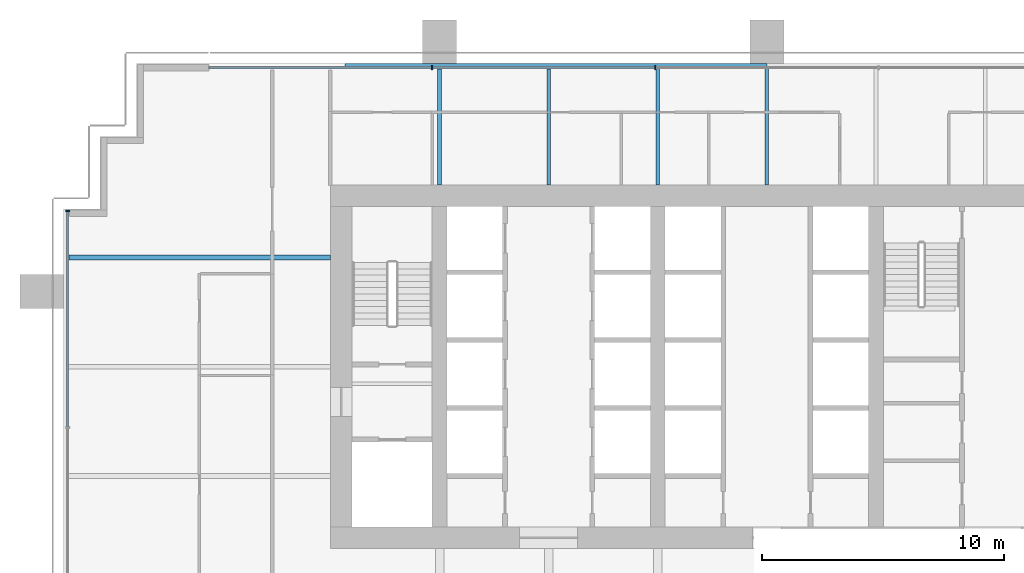
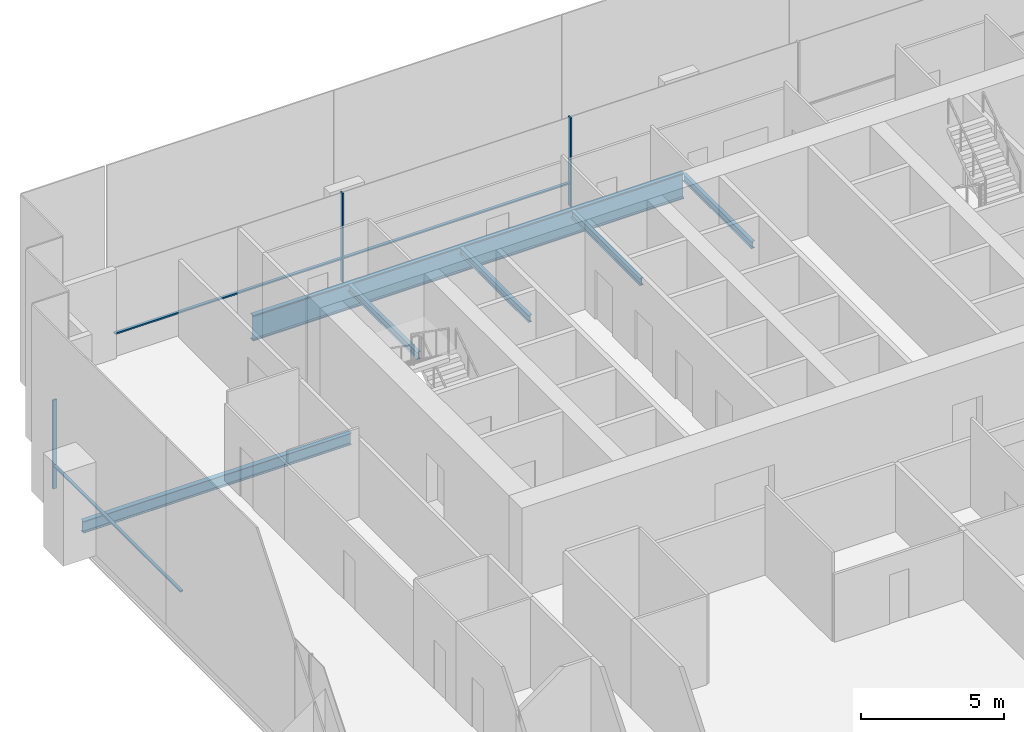
# One storey, part 7 of 17: 6 beams, 6 members, 2 elements without a shape of their own.
"""IFC4 building model written with IfcOpenShell, lengths in metres."""

import ifcopenshell
import ifcopenshell.guid

model = None  # the IFC model being written
_history = None  # IfcOwnerHistory: only IFC2X3 demands one
_inside = {}  # id of a spatial element -> (the spatial element, [elements in it])
_under = {}  # id of a project, library or spatial element -> (it, [spatial elements below it])
_declared = {}  # id of a project -> (the project, [libraries it declares])
_typed = {}  # id of a type object -> (the type object, [elements of that type])
_made_of = {}  # id of a material, layer set ... -> (it, [elements and type objects made of it])


def new_model(schema):
    """Start an empty IFC model of exactly this schema.

    Asked for "IFC4X3", IfcOpenShell would pick the latest addendum, in which some entities
    have other attributes; the version numbers below select the first issue.
    IFC2X3 requires an IfcOwnerHistory on every rooted entity: one is made here for all.
    """
    global model, _history
    if schema == "IFC4X3":
        model = ifcopenshell.file(schema_version=(4, 3, 0, 0))
    else:
        model = ifcopenshell.file(schema=schema)
    _inside.clear()
    _under.clear()
    _declared.clear()
    _typed.clear()
    _made_of.clear()
    _history = None
    if model.schema == "IFC2X3":
        org = make("IfcOrganization", Name="unknown")
        user = make(
            "IfcPersonAndOrganization",
            ThePerson=make("IfcPerson", FamilyName="unknown"),
            TheOrganization=org,
        )
        app = make(
            "IfcApplication",
            ApplicationDeveloper=org,
            Version="unknown",
            ApplicationFullName="unknown",
            ApplicationIdentifier="unknown",
        )
        _history = make(
            "IfcOwnerHistory",
            OwningUser=user,
            OwningApplication=app,
            ChangeAction="ADDED",
            CreationDate=0,
        )
    return model


def make(cls, **values):
    """One entity of the class cls with the attributes given. An attribute that is None is left unset."""
    return model.create_entity(
        cls, **{name: value for name, value in values.items() if value is not None}
    )


def rooted(cls, **values):
    """An entity with a GlobalId (a new one), such as an element, a storey or a relation."""
    return make(cls, GlobalId=ifcopenshell.guid.new(), OwnerHistory=_history, **values)


def si_unit(unit_type, name, prefix=None):
    """IfcSIUnit, for example si_unit("LENGTHUNIT", "METRE", prefix="MILLI")."""
    return make("IfcSIUnit", UnitType=unit_type, Prefix=prefix, Name=name)


def assignment(units):
    """IfcUnitAssignment: the units of a project."""
    return None if units is None else make("IfcUnitAssignment", Units=units)


def point(xyz):
    """IfcCartesianPoint."""
    return None if xyz is None else make("IfcCartesianPoint", Coordinates=xyz)


def direction(xyz):
    """IfcDirection."""
    return None if xyz is None else make("IfcDirection", DirectionRatios=xyz)


def frame(location, z_axis=None, x_axis=None):
    """IfcAxis2Placement3D, a coordinate frame: its origin and axes. An axis left out is left unset."""
    return make(
        "IfcAxis2Placement3D",
        Location=point(location),
        Axis=direction(z_axis),
        RefDirection=direction(x_axis),
    )


def frame_2d(location, x_axis=None):
    """IfcAxis2Placement2D, a coordinate frame in the plane: its origin and x axis."""
    return make(
        "IfcAxis2Placement2D", Location=point(location), RefDirection=direction(x_axis)
    )


def origin():
    """The frame at (0, 0, 0) with its axes left unset."""
    return frame((0.0, 0.0, 0.0))


def origin_2d():
    """The frame at (0, 0) in the plane with its x axis left unset."""
    return frame_2d((0.0, 0.0))


def place(relative_to, where):
    """IfcLocalPlacement: puts the frame where relative to a parent placement (None: the world)."""
    return make(
        "IfcLocalPlacement", PlacementRelTo=relative_to, RelativePlacement=where
    )


def context(
    kind, dimensions, precision=None, world=None, true_north=None, identifier=None
):
    """IfcGeometricRepresentationContext, for example the 3D "Model" context."""
    return make(
        "IfcGeometricRepresentationContext",
        ContextIdentifier=identifier,
        ContextType=kind,
        CoordinateSpaceDimension=dimensions,
        Precision=precision,
        WorldCoordinateSystem=world,
        TrueNorth=true_north,
    )


def subcontext(parent, identifier, kind, view, scale=None):
    """IfcGeometricRepresentationSubContext, for example "Body" below "Model"."""
    return make(
        "IfcGeometricRepresentationSubContext",
        ContextIdentifier=identifier,
        ContextType=kind,
        ParentContext=parent,
        TargetScale=scale,
        TargetView=view,
    )


def project(units=None, contexts=None):
    """IfcProject with its units and contexts."""
    return rooted(
        "IfcProject",
        Name="project",
        RepresentationContexts=contexts,
        UnitsInContext=assignment(units),
    )


def spatial(cls, under=None, at=None, **own):
    """A site, building, storey or space (cls), placed at a placement, below another one or the project."""
    s = rooted(cls, ObjectPlacement=at, **own)
    if under is not None:
        _under.setdefault(under.id(), (under, []))[1].append(s)
    return s


def profile(cls, at=None, kind="AREA", **sizes):
    """A parametric profile (cls). Its sizes go by their IFC names, for example OverallWidth=200.0."""
    return make(cls, ProfileType=kind, Position=at, **sizes)


def rectangle(**sizes):
    """IfcRectangleProfileDef."""
    return profile("IfcRectangleProfileDef", **sizes)


def i_section(**sizes):
    """IfcIShapeProfileDef."""
    return profile("IfcIShapeProfileDef", **sizes)


def extrude(swept, where, along, depth):
    """IfcExtrudedAreaSolid: the profile swept, set in the frame where, extruded along a direction by depth."""
    return make(
        "IfcExtrudedAreaSolid",
        SweptArea=swept,
        Position=where,
        ExtrudedDirection=direction(along),
        Depth=depth,
    )


def shape(context_of_items, identifier, shape_type, items):
    """IfcShapeRepresentation: the items that make up one representation, for example the "Body"."""
    return make(
        "IfcShapeRepresentation",
        ContextOfItems=context_of_items,
        RepresentationIdentifier=identifier,
        RepresentationType=shape_type,
        Items=items,
    )


def material(Name=None, Category=None):
    """IfcMaterial."""
    return make("IfcMaterial", Name=Name, Category=Category)


def material_profile(
    of_material, cross_section, Name=None, Category=None, Priority=None
):
    """IfcMaterialProfile: a cross section and its material."""
    return make(
        "IfcMaterialProfile",
        Name=Name,
        Material=of_material,
        Profile=cross_section,
        Priority=Priority,
        Category=Category,
    )


def profile_set(profiles, Name=None, composite=None):
    """IfcMaterialProfileSet."""
    return make(
        "IfcMaterialProfileSet",
        Name=Name,
        MaterialProfiles=profiles,
        CompositeProfile=composite,
    )


def made_of(thing, what):
    """Note that an element or type object is made of a material, layer set ...; save() writes the relation."""
    if what is not None:
        _made_of.setdefault(what.id(), (what, []))[1].append(thing)
    return thing


def type_object(cls, material=None, **own):
    """A type object (cls), such as IfcWallType, which elements share."""
    return made_of(rooted(cls, **own), material)


def element(
    cls,
    number,
    at=None,
    inside=None,
    cuts=None,
    type_object=None,
    material=None,
    context=None,
    identifier="Body",
    shape_type=None,
    held_by="IfcProductDefinitionShape",
    body=None,
    shapes=None,
    **own,
):
    """One element of the class cls, such as IfcWall. Its Tag is "e" and its number.

    at: its placement. inside: the storey or other place that contains it. cuts: it is an
    opening in that element (IfcRelVoidsElement). A single representation is given by context,
    identifier, shape_type and body (its items); several are given by shapes. held_by: the class
    of the entity that holds the representations. save() writes the other relations.
    """
    e = rooted(cls, Tag="e%d" % number, ObjectPlacement=at, **own)
    if body is not None:
        shapes = [shape(context, identifier, shape_type, body)]
    if shapes is not None:
        e.Representation = make(held_by, Representations=shapes)
    if inside is not None:
        _inside.setdefault(inside.id(), (inside, []))[1].append(e)
    if cuts is not None:
        rooted(
            "IfcRelVoidsElement", RelatingBuildingElement=cuts, RelatedOpeningElement=e
        )
    if type_object is not None:
        _typed.setdefault(type_object.id(), (type_object, []))[1].append(e)
    return made_of(e, material)


def aggregate(whole, parts):
    """IfcRelAggregates: a whole, such as a stair, and the parts it consists of."""
    return rooted("IfcRelAggregates", RelatingObject=whole, RelatedObjects=parts)


def save(model, path):
    """Write the relations noted so far, then the file.

    IfcRelAggregates (storeys below a building ...), IfcRelContainedInSpatialStructure (elements
    in a storey), IfcRelDefinesByType, IfcRelAssociatesMaterial and IfcRelDeclares: one each for
    every whole, place, type object, material and project.
    """
    for whole, parts in _under.values():
        aggregate(whole, parts)
    for where, things in _inside.values():
        rooted(
            "IfcRelContainedInSpatialStructure",
            RelatedElements=things,
            RelatingStructure=where,
        )
    for kind, things in _typed.values():
        rooted("IfcRelDefinesByType", RelatedObjects=things, RelatingType=kind)
    for what, things in _made_of.values():
        rooted("IfcRelAssociatesMaterial", RelatedObjects=things, RelatingMaterial=what)
    for by, libraries in _declared.values():
        rooted("IfcRelDeclares", RelatingContext=by, RelatedDefinitions=libraries)
    model.write(path)


model = new_model("IFC4")

# Units and contexts
model_context = context("Model", 3, precision=1e-05, world=origin(), true_north=direction((0.0, 1.0)))
body_context = subcontext(model_context, "Body", "Model", "MODEL_VIEW")
ifc_project = project(units=[si_unit("LENGTHUNIT", "METRE"), si_unit("AREAUNIT", "SQUARE_METRE"), si_unit("VOLUMEUNIT", "CUBIC_METRE"), si_unit("PLANEANGLEUNIT", "RADIAN"), si_unit("MASSUNIT", "GRAM", prefix="KILO")], contexts=[model_context])

# Site, building, storey
site_placement = place(None, origin())
site = spatial("IfcSite", under=ifc_project, at=site_placement, CompositionType="ELEMENT")
building_placement = place(site_placement, origin())
building = spatial("IfcBuilding", under=site, at=building_placement, Name="Rattan Terrace Tower", CompositionType="ELEMENT")
storey_placement = place(building_placement, frame((0.0, 0.0, 138.10009765625)))
storey = spatial("IfcBuildingStorey", under=building, at=storey_placement, Name="L31", CompositionType="ELEMENT", Elevation=138.10009765625)

# Curtain wall, members
ifc_material_1 = material(Name="Aluminium and glass", Category="aluminium")
curtain_wall_type = type_object("IfcCurtainWallType", Name="Facade Unitised Curtain Wall", PredefinedType="NOTDEFINED", material=ifc_material_1)
curtain_wall_1_placement = place(storey_placement, origin())
curtain_wall_1 = element("IfcCurtainWall", 1, at=curtain_wall_1_placement, inside=storey, type_object=curtain_wall_type, Name="Curtain wall L31-2", PredefinedType="NOTDEFINED")
ifc_material_2 = material(Name="Aluminium", Category="aluminium")
ifc_material_profile_1 = material_profile(ifc_material_2, rectangle(XDim=0.06005859375, YDim=0.159912109375, at=origin_2d()), Name="Aluminium 60x160")
ifc_profile_set_1 = profile_set([ifc_material_profile_1], Name="Aluminium")
member_type_1 = type_object("IfcMemberType", Name="Facade CW Mullion 60x160", PredefinedType="MULLION", material=ifc_profile_set_1)
member_1_placement = place(storey_placement, frame((-4.60302734375, 12.330078125, 0.0), z_axis=(0.0, 0.0, 1.0), x_axis=(-1.0, 0.0, 0.0)))
member_1 = element("IfcMember", 2, at=member_1_placement, type_object=member_type_1, Name="Mullion cwl-L31-002.4", PredefinedType="MULLION", context=body_context, shape_type="SweptSolid", body=[
    extrude(rectangle(XDim=0.06005859375, YDim=0.159912109375, at=origin_2d()), origin(), (0.0, 0.0, 1.0), 3.7998046875),
])
member_2_placement = place(storey_placement, frame((-13.803955078125, 12.330078125, 0.0), z_axis=(0.0, 0.0, 1.0), x_axis=(-1.0, 0.0, 0.0)))
member_2 = element("IfcMember", 3, at=member_2_placement, type_object=member_type_1, Name="Mullion cwl-L31-002.5", PredefinedType="MULLION", context=body_context, shape_type="SweptSolid", body=[
    extrude(rectangle(XDim=0.06005859375, YDim=0.159912109375, at=origin_2d()), origin(), (0.0, 0.0, 1.0), 3.7998046875),
])

# Curtain wall, member
curtain_wall_2_placement = place(storey_placement, origin())
curtain_wall_2 = element("IfcCurtainWall", 4, at=curtain_wall_2_placement, inside=storey, type_object=curtain_wall_type, Name="Curtain wall L31-3", PredefinedType="NOTDEFINED")
member_3_placement = place(storey_placement, frame((-28.830078125, 6.425048828125, 0.0), z_axis=(0.0, 0.0, 1.0), x_axis=(0.0, -1.0, 0.0)))
member_3 = element("IfcMember", 5, at=member_3_placement, type_object=member_type_1, Name="Mullion cwl-L31-003.1", PredefinedType="MULLION", context=body_context, shape_type="SweptSolid", body=[
    extrude(rectangle(XDim=0.06005859375, YDim=0.159912109375, at=origin_2d()), origin(), (0.0, 0.0, 1.0), 3.7998046875),
])

# Member
ifc_material_3 = material(Name="Aluminium", Category="aluminium")
ifc_material_profile_2 = material_profile(ifc_material_3, rectangle(XDim=0.1201171875, YDim=0.06005859375, at=origin_2d()), Name="Aluminium 120x60")
ifc_profile_set_2 = profile_set([ifc_material_profile_2], Name="Aluminium")
member_type_2 = type_object("IfcMemberType", Name="Facade CW Transom 120x60", PredefinedType="USERDEFINED", material=ifc_profile_set_2)
member_4_placement = place(storey_placement, frame((-4.633056640625, 12.330078125, 1.0), z_axis=(-1.0, 0.0, 0.0), x_axis=(0.0, -1.0, 0.0)))
member_4 = element("IfcMember", 6, at=member_4_placement, type_object=member_type_2, Name="Transom cwl-L31-002.4", ObjectType="TRANSOM", PredefinedType="USERDEFINED", context=body_context, shape_type="SweptSolid", body=[
    extrude(rectangle(XDim=0.1201171875, YDim=0.06005859375, at=origin_2d()), origin(), (0.0, 0.0, 1.0), 9.140869140625),
])

member_5_placement = place(storey_placement, frame((-13.833984375, 12.330078125, 1.0), z_axis=(-1.0, 0.0, 0.0), x_axis=(0.0, -1.0, 0.0)))
member_5 = element("IfcMember", 7, at=member_5_placement, type_object=member_type_2, Name="Transom cwl-L31-002.5", ObjectType="TRANSOM", PredefinedType="USERDEFINED", context=body_context, shape_type="SweptSolid", body=[
    extrude(rectangle(XDim=0.1201171875, YDim=0.06005859375, at=origin_2d()), origin(), (0.0, 0.0, 1.0), 9.166015625),
])

aggregate(curtain_wall_1, [member_1, member_2, member_4, member_5])

member_6_placement = place(storey_placement, frame((-28.830078125, 6.39501953125, 1.0), z_axis=(0.0, -1.0, 0.0), x_axis=(1.0, 0.0, 0.0)))
member_6 = element("IfcMember", 8, at=member_6_placement, type_object=member_type_2, Name="Transom cwl-L31-003.1", ObjectType="TRANSOM", PredefinedType="USERDEFINED", context=body_context, shape_type="SweptSolid", body=[
    extrude(rectangle(XDim=0.1201171875, YDim=0.06005859375, at=origin_2d()), origin(), (0.0, 0.0, 1.0), 8.864990234375),
])

aggregate(curtain_wall_2, [member_3, member_6])

# Beams
ifc_material_4 = material(Name="Steel S460", Category="steel")
ifc_material_profile_3 = material_profile(ifc_material_4, i_section(OverallWidth=0.179931640625, OverallDepth=1.10009765625, WebThickness=0.01611328125, FlangeThickness=0.050048828125, at=origin_2d()), Name="PG 1100x180-16-50")
ifc_profile_set_3 = profile_set([ifc_material_profile_3], Name="Steel S460")
beam_type_1 = type_object("IfcBeamType", Name="Frame edge girder PG 1100x180-16-50", PredefinedType="SPANDREL", material=ifc_profile_set_3)
beam_1_placement = place(storey_placement, frame((-17.39990234375, 12.409912109375, -0.75), z_axis=(1.0, 0.0, 0.0), x_axis=(0.0, 1.0, 0.0)))
element("IfcBeam", 9, at=beam_1_placement, inside=storey, type_object=beam_type_1, Name="gdr-L31-005", PredefinedType="SPANDREL", context=body_context, shape_type="SweptSolid", body=[
    extrude(i_section(OverallWidth=0.179931640625, OverallDepth=1.10009765625, WebThickness=0.01611328125, FlangeThickness=0.050048828125, at=origin_2d()), origin(), (0.0, 0.0, 1.0), 17.39990234375),
])
ifc_material_5 = material(Name="Steel S355", Category="steel")
ifc_material_profile_4 = material_profile(ifc_material_5, i_section(OverallWidth=0.14990234375, OverallDepth=0.300048828125, WebThickness=0.007080078125, FlangeThickness=0.0107421875, FilletRadius=0.014892578125, at=origin_2d()), Name="IPE 300")
ifc_profile_set_4 = profile_set([ifc_material_profile_4], Name="Steel S355")
beam_type_2 = type_object("IfcBeamType", Name="Frame floor beam IPE 300", PredefinedType="JOIST", material=ifc_profile_set_4)
for number, where, z_axis, x_axis, name in (
    (10, (-13.5, 7.5, -0.35009765625), (0.0, 1.0, 0.0), (-1.0, 0.0, 0.0), "bm-L31-016"),
    (11, (-9.0, 7.5, -0.35009765625), (0.0, 1.0, 0.0), (-1.0, 0.0, 0.0), "bm-L31-017"),
    (12, (-4.5, 7.5, -0.35009765625), (0.0, 1.0, 0.0), (-1.0, 0.0, 0.0), "bm-L31-018"),
    (13, (0.0, 7.5, -0.35009765625), (0.0, 1.0, 0.0), (-1.0, 0.0, 0.0), "bm-L31-019"),
):
    element("IfcBeam", number, at=place(storey_placement, frame(where, z_axis=z_axis, x_axis=x_axis)), inside=storey, type_object=beam_type_2, Name=name, PredefinedType="JOIST", context=body_context, shape_type="SweptSolid", body=[
        extrude(i_section(OverallWidth=0.14990234375, OverallDepth=0.300048828125, WebThickness=0.007080078125, FlangeThickness=0.0107421875, FilletRadius=0.014892578125, at=origin_2d()), origin(), (0.0, 0.0, 1.0), 4.820068359375),
    ])
ifc_material_6 = material(Name="Steel S355", Category="steel")
ifc_material_profile_5 = material_profile(ifc_material_6, i_section(OverallWidth=0.199951171875, OverallDepth=0.5, WebThickness=0.01025390625, FlangeThickness=0.01611328125, FilletRadius=0.02099609375, at=origin_2d()), Name="IPE 500")
ifc_profile_set_5 = profile_set([ifc_material_profile_5], Name="Steel S355")
beam_type_3 = type_object("IfcBeamType", Name="Frame floor beam IPE 500", PredefinedType="JOIST", material=ifc_profile_set_5)
beam_2_placement = place(storey_placement, frame((-28.820068359375, 4.5, -0.4501953125), z_axis=(1.0, 0.0, 0.0), x_axis=(0.0, 1.0, 0.0)))
element("IfcBeam", 14, at=beam_2_placement, inside=storey, type_object=beam_type_3, Name="bm-L31-014", PredefinedType="JOIST", context=body_context, shape_type="SweptSolid", body=[
    extrude(i_section(OverallWidth=0.199951171875, OverallDepth=0.5, WebThickness=0.01025390625, FlangeThickness=0.01611328125, FilletRadius=0.02099609375, at=origin_2d()), origin(), (0.0, 0.0, 1.0), 10.820068359375),
])

save(model, "model.ifc")
